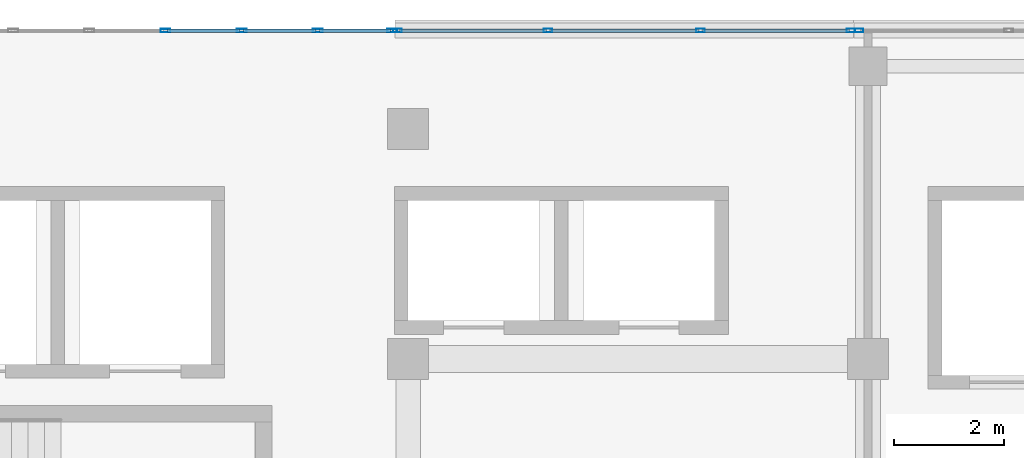
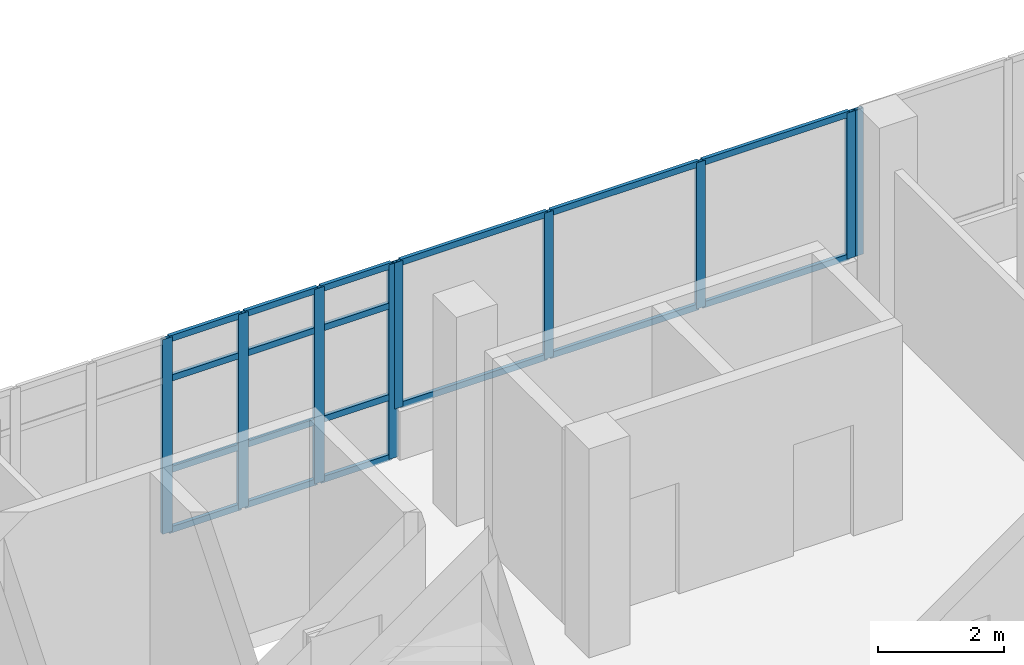
# One storey, part 50 of 101: 27 members, 3 elements without a shape of their own.
"""IFC4 building model written with IfcOpenShell, lengths in metres."""

from ifc_helpers import new_model, si_unit, direction, frame, origin, origin_2d, place, context, subcontext, project, spatial, hollow_rectangle, extrude, material, material_profile, profile_set, type_object, element, aggregate, save


model = new_model("IFC4")

# Units and contexts
model_context = context("Model", 3, precision=1e-05, world=origin(), true_north=direction((0.0, 1.0)))
body_context = subcontext(model_context, "Body", "Model", "MODEL_VIEW")
ifc_project = project(units=[si_unit("LENGTHUNIT", "METRE"), si_unit("AREAUNIT", "SQUARE_METRE"), si_unit("VOLUMEUNIT", "CUBIC_METRE"), si_unit("PLANEANGLEUNIT", "RADIAN"), si_unit("MASSUNIT", "GRAM", prefix="KILO")], contexts=[model_context])

# Site, building, storey
site_placement = place(None, origin())
site = spatial("IfcSite", under=ifc_project, at=site_placement, CompositionType="ELEMENT")
building_placement = place(site_placement, origin())
building = spatial("IfcBuilding", under=site, at=building_placement, Name="Selatvlak General Hospital", CompositionType="ELEMENT")
storey_placement = place(building_placement, frame((0.0, 0.0, 19.199951171875)))
storey = spatial("IfcBuildingStorey", under=building, at=storey_placement, Name="L04", CompositionType="ELEMENT", Elevation=19.199951171875)

# Curtain wall, members
ifc_material_1 = material(Name="Solar-control Low-E double glazing", Category="glass")
curtain_wall_type_1 = type_object("IfcCurtainWallType", Name="CW-CW-02", PredefinedType="USERDEFINED", material=ifc_material_1)
curtain_wall_1_placement = place(storey_placement, origin())
curtain_wall_1 = element("IfcCurtainWall", 1, at=curtain_wall_1_placement, inside=storey, type_object=curtain_wall_type_1, Name="Glazed facade curtain wall CW-L04-0492", ObjectType="UNITISED CURTAIN WALL", PredefinedType="USERDEFINED")
ifc_material_2 = material(Name="Dark anodised aluminium mullion", Category="aluminium")
ifc_material_profile_1 = material_profile(ifc_material_2, hollow_rectangle(XDim=0.06494140625, YDim=0.159912109375, WallThickness=0.00390625, at=origin_2d()), Name="AL-MUL 65x160x4")
ifc_profile_set_1 = profile_set([ifc_material_profile_1], Name="Dark anodised aluminium mullion")
member_type_1 = type_object("IfcMemberType", Name="CWM-01", PredefinedType="MULLION", material=ifc_profile_set_1)
member_1_placement = place(storey_placement, frame((115.006591796875, 120.0, 0.93994140625), z_axis=(0.0, 0.0, 1.0), x_axis=(0.0, 1.0, 0.0)))
member_1 = element("IfcMember", 2, at=member_1_placement, type_object=member_type_1, Name="CW-02 mullion 1", PredefinedType="MULLION", context=body_context, shape_type="SweptSolid", body=[
    extrude(hollow_rectangle(XDim=0.06494140625, YDim=0.159912109375, WallThickness=0.00390625, at=origin_2d()), origin(), (0.0, 0.0, 1.0), 2.830078125),
])
member_2_placement = place(storey_placement, frame((117.75732421875, 120.0, 0.93994140625), z_axis=(0.0, 0.0, 1.0), x_axis=(0.0, 1.0, 0.0)))
member_2 = element("IfcMember", 3, at=member_2_placement, type_object=member_type_1, Name="CW-02 mullion 2", PredefinedType="MULLION", context=body_context, shape_type="SweptSolid", body=[
    extrude(hollow_rectangle(XDim=0.06494140625, YDim=0.159912109375, WallThickness=0.00390625, at=origin_2d()), origin(), (0.0, 0.0, 1.0), 2.830078125),
])
member_3_placement = place(storey_placement, frame((120.540771484375, 120.0, 0.93994140625), z_axis=(0.0, 0.0, 1.0), x_axis=(0.0, 1.0, 0.0)))
member_3 = element("IfcMember", 4, at=member_3_placement, type_object=member_type_1, Name="CW-02 mullion 3", PredefinedType="MULLION", context=body_context, shape_type="SweptSolid", body=[
    extrude(hollow_rectangle(XDim=0.06494140625, YDim=0.159912109375, WallThickness=0.00390625, at=origin_2d()), origin(), (0.0, 0.0, 1.0), 2.830078125),
])
member_4_placement = place(storey_placement, frame((123.29150390625, 120.0, 0.93994140625), z_axis=(0.0, 0.0, 1.0), x_axis=(0.0, 1.0, 0.0)))
member_4 = element("IfcMember", 5, at=member_4_placement, type_object=member_type_1, Name="CW-02 mullion 4", PredefinedType="MULLION", context=body_context, shape_type="SweptSolid", body=[
    extrude(hollow_rectangle(XDim=0.06494140625, YDim=0.159912109375, WallThickness=0.00390625, at=origin_2d()), origin(), (0.0, 0.0, 1.0), 2.830078125),
])

# Curtain wall, member
curtain_wall_type_2 = type_object("IfcCurtainWallType", Name="CW-CW-01", PredefinedType="USERDEFINED", material=ifc_material_1)
curtain_wall_2_placement = place(storey_placement, origin())
curtain_wall_2 = element("IfcCurtainWall", 6, at=curtain_wall_2_placement, inside=storey, type_object=curtain_wall_type_2, Name="Glazed facade curtain wall CW-L04-0493", ObjectType="UNITISED CURTAIN WALL", PredefinedType="USERDEFINED")
member_5_placement = place(storey_placement, frame((123.4365234375, 120.0, 0.93994140625), z_axis=(0.0, 0.0, 1.0), x_axis=(0.0, 1.0, 0.0)))
member_5 = element("IfcMember", 7, at=member_5_placement, type_object=member_type_1, Name="CW-01 mullion 1", PredefinedType="MULLION", context=body_context, shape_type="SweptSolid", body=[
    extrude(hollow_rectangle(XDim=0.06494140625, YDim=0.159912109375, WallThickness=0.00390625, at=origin_2d()), origin(), (0.0, 0.0, 1.0), 2.830078125),
])
aggregate(curtain_wall_2, [member_5])

# Curtain wall, members
curtain_wall_type_3 = type_object("IfcCurtainWallType", Name="CW-CW-04", PredefinedType="USERDEFINED", material=ifc_material_1)
curtain_wall_3_placement = place(storey_placement, origin())
curtain_wall_3 = element("IfcCurtainWall", 8, at=curtain_wall_3_placement, inside=storey, type_object=curtain_wall_type_3, Name="Glazed facade curtain wall CW-L04-0491", ObjectType="STICK GLAZING WALL", PredefinedType="USERDEFINED")
ifc_material_profile_2 = material_profile(ifc_material_2, hollow_rectangle(XDim=0.06494140625, YDim=0.179931640625, WallThickness=0.00439453125, at=origin_2d()), Name="AL-MUL 65x180x4.5")
ifc_profile_set_2 = profile_set([ifc_material_profile_2], Name="Dark anodised aluminium mullion")
member_type_2 = type_object("IfcMemberType", Name="CWM-02", PredefinedType="MULLION", material=ifc_profile_set_2)
member_6_placement = place(storey_placement, frame((110.76904296875, 120.0, 0.0), z_axis=(0.0, 0.0, 1.0), x_axis=(0.0, 1.0, 0.0)))
member_6 = element("IfcMember", 9, at=member_6_placement, type_object=member_type_2, Name="CW-04 mullion 4", PredefinedType="MULLION", context=body_context, shape_type="SweptSolid", body=[
    extrude(hollow_rectangle(XDim=0.06494140625, YDim=0.179931640625, WallThickness=0.00439453125, at=origin_2d()), origin(), (0.0, 0.0, 1.0), 3.77001953125),
])
member_7_placement = place(storey_placement, frame((112.16064453125, 120.0, 0.0), z_axis=(0.0, 0.0, 1.0), x_axis=(0.0, 1.0, 0.0)))
member_7 = element("IfcMember", 10, at=member_7_placement, type_object=member_type_2, Name="CW-04 mullion 5", PredefinedType="MULLION", context=body_context, shape_type="SweptSolid", body=[
    extrude(hollow_rectangle(XDim=0.06494140625, YDim=0.179931640625, WallThickness=0.00439453125, at=origin_2d()), origin(), (0.0, 0.0, 1.0), 3.77001953125),
])
member_8_placement = place(storey_placement, frame((113.55224609375, 120.0, 0.0), z_axis=(0.0, 0.0, 1.0), x_axis=(0.0, 1.0, 0.0)))
member_8 = element("IfcMember", 11, at=member_8_placement, type_object=member_type_2, Name="CW-04 mullion 6", PredefinedType="MULLION", context=body_context, shape_type="SweptSolid", body=[
    extrude(hollow_rectangle(XDim=0.06494140625, YDim=0.179931640625, WallThickness=0.00439453125, at=origin_2d()), origin(), (0.0, 0.0, 1.0), 3.77001953125),
])
member_9_placement = place(storey_placement, frame((114.91162109375, 120.0, 0.0), z_axis=(0.0, 0.0, 1.0), x_axis=(0.0, 1.0, 0.0)))
member_9 = element("IfcMember", 12, at=member_9_placement, type_object=member_type_2, Name="CW-04 mullion 7", PredefinedType="MULLION", context=body_context, shape_type="SweptSolid", body=[
    extrude(hollow_rectangle(XDim=0.06494140625, YDim=0.179931640625, WallThickness=0.00439453125, at=origin_2d()), origin(), (0.0, 0.0, 1.0), 3.77001953125),
])
ifc_material_profile_3 = material_profile(ifc_material_2, hollow_rectangle(XDim=0.06494140625, YDim=0.1201171875, WallThickness=0.00390625, at=origin_2d()), Name="AL-TRN 65x120x4")
ifc_profile_set_3 = profile_set([ifc_material_profile_3], Name="Dark anodised aluminium mullion")
member_type_3 = type_object("IfcMemberType", Name="CWT-01", PredefinedType="USERDEFINED", material=ifc_profile_set_3)
member_10_placement = place(storey_placement, frame((110.801513671875, 120.0, 0.032470703125), z_axis=(1.0, 0.0, 0.0), x_axis=(0.0, 1.0, 0.0)))
member_10 = element("IfcMember", 13, at=member_10_placement, type_object=member_type_3, Name="CW-04 transom 4.1", ObjectType="TRANSOM", PredefinedType="USERDEFINED", context=body_context, shape_type="SweptSolid", body=[
    extrude(hollow_rectangle(XDim=0.06494140625, YDim=0.1201171875, WallThickness=0.00390625, at=origin_2d()), origin(), (0.0, 0.0, 1.0), 1.32666015625),
])
member_11_placement = place(storey_placement, frame((110.801513671875, 120.0, 1.199951171875), z_axis=(1.0, 0.0, 0.0), x_axis=(0.0, 1.0, 0.0)))
member_11 = element("IfcMember", 14, at=member_11_placement, type_object=member_type_3, Name="CW-04 transom 4.2", ObjectType="TRANSOM", PredefinedType="USERDEFINED", context=body_context, shape_type="SweptSolid", body=[
    extrude(hollow_rectangle(XDim=0.06494140625, YDim=0.1201171875, WallThickness=0.00390625, at=origin_2d()), origin(), (0.0, 0.0, 1.0), 1.32666015625),
])
member_12_placement = place(storey_placement, frame((110.801513671875, 120.0, 2.969970703125), z_axis=(1.0, 0.0, 0.0), x_axis=(0.0, 1.0, 0.0)))
member_12 = element("IfcMember", 15, at=member_12_placement, type_object=member_type_3, Name="CW-04 transom 4.3", ObjectType="TRANSOM", PredefinedType="USERDEFINED", context=body_context, shape_type="SweptSolid", body=[
    extrude(hollow_rectangle(XDim=0.06494140625, YDim=0.1201171875, WallThickness=0.00390625, at=origin_2d()), origin(), (0.0, 0.0, 1.0), 1.32666015625),
])
member_13_placement = place(storey_placement, frame((110.801513671875, 120.0, 3.737548828125), z_axis=(1.0, 0.0, 0.0), x_axis=(0.0, 1.0, 0.0)))
member_13 = element("IfcMember", 16, at=member_13_placement, type_object=member_type_3, Name="CW-04 transom 4.4", ObjectType="TRANSOM", PredefinedType="USERDEFINED", context=body_context, shape_type="SweptSolid", body=[
    extrude(hollow_rectangle(XDim=0.06494140625, YDim=0.1201171875, WallThickness=0.00390625, at=origin_2d()), origin(), (0.0, 0.0, 1.0), 1.32666015625),
])
member_14_placement = place(storey_placement, frame((112.193115234375, 120.0, 0.032470703125), z_axis=(1.0, 0.0, 0.0), x_axis=(0.0, 1.0, 0.0)))
member_14 = element("IfcMember", 17, at=member_14_placement, type_object=member_type_3, Name="CW-04 transom 5.1", ObjectType="TRANSOM", PredefinedType="USERDEFINED", context=body_context, shape_type="SweptSolid", body=[
    extrude(hollow_rectangle(XDim=0.06494140625, YDim=0.1201171875, WallThickness=0.00390625, at=origin_2d()), origin(), (0.0, 0.0, 1.0), 1.32666015625),
])
member_15_placement = place(storey_placement, frame((112.193115234375, 120.0, 1.199951171875), z_axis=(1.0, 0.0, 0.0), x_axis=(0.0, 1.0, 0.0)))
member_15 = element("IfcMember", 18, at=member_15_placement, type_object=member_type_3, Name="CW-04 transom 5.2", ObjectType="TRANSOM", PredefinedType="USERDEFINED", context=body_context, shape_type="SweptSolid", body=[
    extrude(hollow_rectangle(XDim=0.06494140625, YDim=0.1201171875, WallThickness=0.00390625, at=origin_2d()), origin(), (0.0, 0.0, 1.0), 1.32666015625),
])
member_16_placement = place(storey_placement, frame((112.193115234375, 120.0, 2.969970703125), z_axis=(1.0, 0.0, 0.0), x_axis=(0.0, 1.0, 0.0)))
member_16 = element("IfcMember", 19, at=member_16_placement, type_object=member_type_3, Name="CW-04 transom 5.3", ObjectType="TRANSOM", PredefinedType="USERDEFINED", context=body_context, shape_type="SweptSolid", body=[
    extrude(hollow_rectangle(XDim=0.06494140625, YDim=0.1201171875, WallThickness=0.00390625, at=origin_2d()), origin(), (0.0, 0.0, 1.0), 1.32666015625),
])
member_17_placement = place(storey_placement, frame((112.193115234375, 120.0, 3.737548828125), z_axis=(1.0, 0.0, 0.0), x_axis=(0.0, 1.0, 0.0)))
member_17 = element("IfcMember", 20, at=member_17_placement, type_object=member_type_3, Name="CW-04 transom 5.4", ObjectType="TRANSOM", PredefinedType="USERDEFINED", context=body_context, shape_type="SweptSolid", body=[
    extrude(hollow_rectangle(XDim=0.06494140625, YDim=0.1201171875, WallThickness=0.00390625, at=origin_2d()), origin(), (0.0, 0.0, 1.0), 1.32666015625),
])
member_18_placement = place(storey_placement, frame((113.584716796875, 120.0, 0.032470703125), z_axis=(1.0, 0.0, 0.0), x_axis=(0.0, 1.0, 0.0)))
member_18 = element("IfcMember", 21, at=member_18_placement, type_object=member_type_3, Name="CW-04 transom 6.1", ObjectType="TRANSOM", PredefinedType="USERDEFINED", context=body_context, shape_type="SweptSolid", body=[
    extrude(hollow_rectangle(XDim=0.06494140625, YDim=0.1201171875, WallThickness=0.00390625, at=origin_2d()), origin(), (0.0, 0.0, 1.0), 1.294189453125),
])
member_19_placement = place(storey_placement, frame((113.584716796875, 120.0, 1.199951171875), z_axis=(1.0, 0.0, 0.0), x_axis=(0.0, 1.0, 0.0)))
member_19 = element("IfcMember", 22, at=member_19_placement, type_object=member_type_3, Name="CW-04 transom 6.2", ObjectType="TRANSOM", PredefinedType="USERDEFINED", context=body_context, shape_type="SweptSolid", body=[
    extrude(hollow_rectangle(XDim=0.06494140625, YDim=0.1201171875, WallThickness=0.00390625, at=origin_2d()), origin(), (0.0, 0.0, 1.0), 1.294189453125),
])
member_20_placement = place(storey_placement, frame((113.584716796875, 120.0, 2.969970703125), z_axis=(1.0, 0.0, 0.0), x_axis=(0.0, 1.0, 0.0)))
member_20 = element("IfcMember", 23, at=member_20_placement, type_object=member_type_3, Name="CW-04 transom 6.3", ObjectType="TRANSOM", PredefinedType="USERDEFINED", context=body_context, shape_type="SweptSolid", body=[
    extrude(hollow_rectangle(XDim=0.06494140625, YDim=0.1201171875, WallThickness=0.00390625, at=origin_2d()), origin(), (0.0, 0.0, 1.0), 1.294189453125),
])
member_21_placement = place(storey_placement, frame((113.584716796875, 120.0, 3.737548828125), z_axis=(1.0, 0.0, 0.0), x_axis=(0.0, 1.0, 0.0)))
member_21 = element("IfcMember", 24, at=member_21_placement, type_object=member_type_3, Name="CW-04 transom 6.4", ObjectType="TRANSOM", PredefinedType="USERDEFINED", context=body_context, shape_type="SweptSolid", body=[
    extrude(hollow_rectangle(XDim=0.06494140625, YDim=0.1201171875, WallThickness=0.00390625, at=origin_2d()), origin(), (0.0, 0.0, 1.0), 1.294189453125),
])
aggregate(curtain_wall_3, [member_6, member_7, member_8, member_9, member_10, member_11, member_12, member_13, member_14, member_15, member_16, member_17, member_18, member_19, member_20, member_21])

# Member
member_22_placement = place(storey_placement, frame((115.0390625, 120.0, 0.97265625), z_axis=(1.0, 0.0, 0.0), x_axis=(0.0, 1.0, 0.0)))
member_22 = element("IfcMember", 25, at=member_22_placement, type_object=member_type_3, Name="CW-02 transom 1.1", ObjectType="TRANSOM", PredefinedType="USERDEFINED", context=body_context, shape_type="SweptSolid", body=[
    extrude(hollow_rectangle(XDim=0.06494140625, YDim=0.1201171875, WallThickness=0.00390625, at=origin_2d()), origin(), (0.0, 0.0, 1.0), 2.685791015625),
])

member_23_placement = place(storey_placement, frame((115.0390625, 120.0, 3.737548828125), z_axis=(1.0, 0.0, 0.0), x_axis=(0.0, 1.0, 0.0)))
member_23 = element("IfcMember", 26, at=member_23_placement, type_object=member_type_3, Name="CW-02 transom 1.2", ObjectType="TRANSOM", PredefinedType="USERDEFINED", context=body_context, shape_type="SweptSolid", body=[
    extrude(hollow_rectangle(XDim=0.06494140625, YDim=0.1201171875, WallThickness=0.00390625, at=origin_2d()), origin(), (0.0, 0.0, 1.0), 2.685791015625),
])

member_24_placement = place(storey_placement, frame((117.789794921875, 120.0, 0.97265625), z_axis=(1.0, 0.0, 0.0), x_axis=(0.0, 1.0, 0.0)))
member_24 = element("IfcMember", 27, at=member_24_placement, type_object=member_type_3, Name="CW-02 transom 2.1", ObjectType="TRANSOM", PredefinedType="USERDEFINED", context=body_context, shape_type="SweptSolid", body=[
    extrude(hollow_rectangle(XDim=0.06494140625, YDim=0.1201171875, WallThickness=0.00390625, at=origin_2d()), origin(), (0.0, 0.0, 1.0), 2.71826171875),
])

member_25_placement = place(storey_placement, frame((117.789794921875, 120.0, 3.737548828125), z_axis=(1.0, 0.0, 0.0), x_axis=(0.0, 1.0, 0.0)))
member_25 = element("IfcMember", 28, at=member_25_placement, type_object=member_type_3, Name="CW-02 transom 2.2", ObjectType="TRANSOM", PredefinedType="USERDEFINED", context=body_context, shape_type="SweptSolid", body=[
    extrude(hollow_rectangle(XDim=0.06494140625, YDim=0.1201171875, WallThickness=0.00390625, at=origin_2d()), origin(), (0.0, 0.0, 1.0), 2.71826171875),
])

member_26_placement = place(storey_placement, frame((120.5732421875, 120.0, 0.97265625), z_axis=(1.0, 0.0, 0.0), x_axis=(0.0, 1.0, 0.0)))
member_26 = element("IfcMember", 29, at=member_26_placement, type_object=member_type_3, Name="CW-02 transom 3.1", ObjectType="TRANSOM", PredefinedType="USERDEFINED", context=body_context, shape_type="SweptSolid", body=[
    extrude(hollow_rectangle(XDim=0.06494140625, YDim=0.1201171875, WallThickness=0.00390625, at=origin_2d()), origin(), (0.0, 0.0, 1.0), 2.685791015625),
])

member_27_placement = place(storey_placement, frame((120.5732421875, 120.0, 3.737548828125), z_axis=(1.0, 0.0, 0.0), x_axis=(0.0, 1.0, 0.0)))
member_27 = element("IfcMember", 30, at=member_27_placement, type_object=member_type_3, Name="CW-02 transom 3.2", ObjectType="TRANSOM", PredefinedType="USERDEFINED", context=body_context, shape_type="SweptSolid", body=[
    extrude(hollow_rectangle(XDim=0.06494140625, YDim=0.1201171875, WallThickness=0.00390625, at=origin_2d()), origin(), (0.0, 0.0, 1.0), 2.685791015625),
])

aggregate(curtain_wall_1, [member_1, member_2, member_3, member_4, member_22, member_23, member_24, member_25, member_26, member_27])

save(model, "model.ifc")
